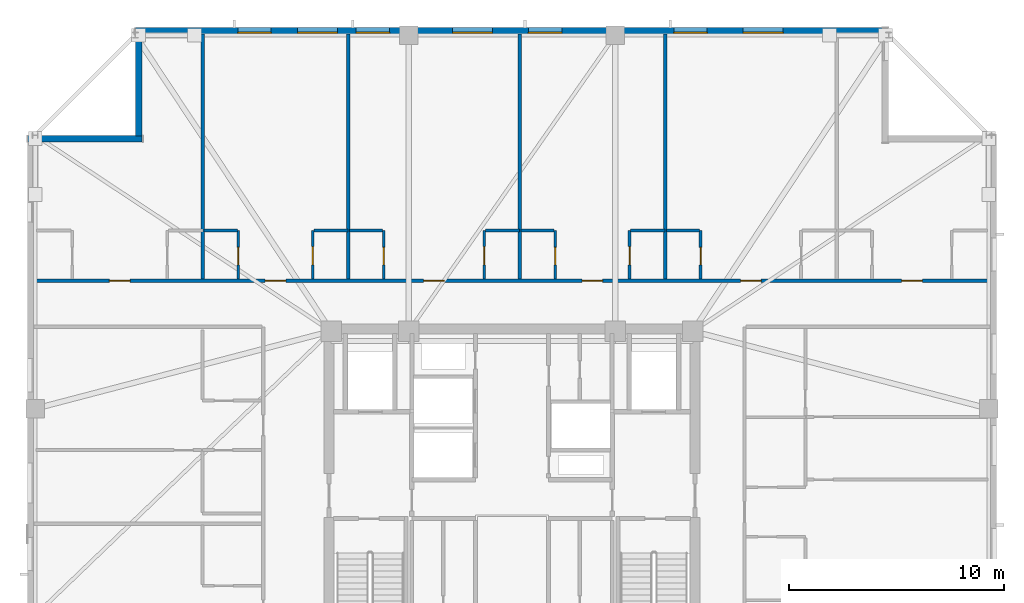
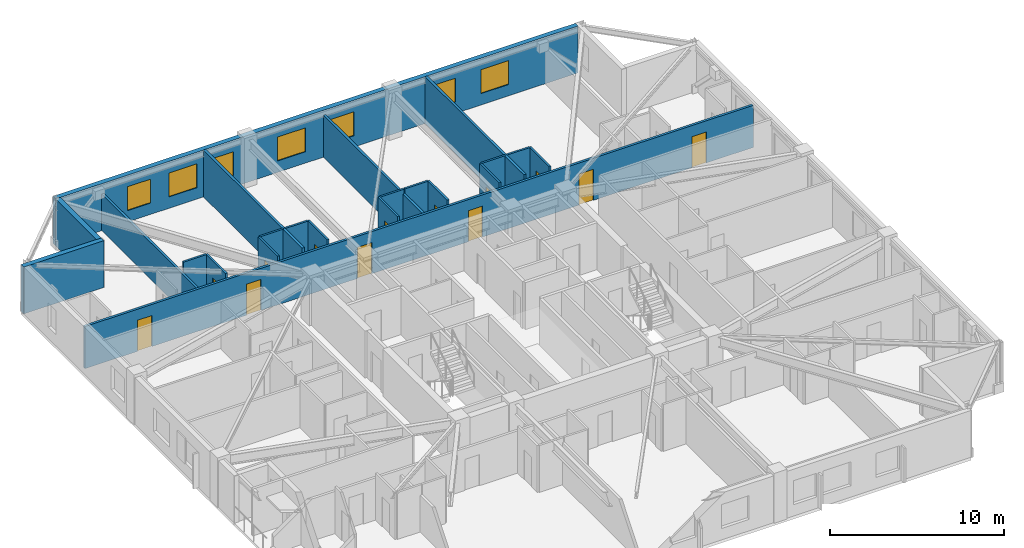
# One storey, part 11 of 17: 22 walls, 13 doors, 7 windows, 20 openings.
"""IFC4 building model written with IfcOpenShell, lengths in metres."""

from ifc_helpers import new_model, si_unit, direction, frame, frame_2d, origin, place, context, subcontext, project, spatial, rectangle, extrude, material, layer, layer_set, type_object, element, fill, save


model = new_model("IFC4")

# Units and contexts
model_context = context("Model", 3, precision=1e-05, world=origin(), true_north=direction((0.0, 1.0)))
body_context = subcontext(model_context, "Body", "Model", "MODEL_VIEW")
ifc_project = project(units=[si_unit("LENGTHUNIT", "METRE"), si_unit("AREAUNIT", "SQUARE_METRE"), si_unit("VOLUMEUNIT", "CUBIC_METRE"), si_unit("PLANEANGLEUNIT", "RADIAN"), si_unit("MASSUNIT", "GRAM", prefix="KILO")], contexts=[model_context])

# Site, building, storey
site_placement = place(None, origin())
site = spatial("IfcSite", under=ifc_project, at=site_placement, CompositionType="ELEMENT")
building_placement = place(site_placement, origin())
building = spatial("IfcBuilding", under=site, at=building_placement, Name="Cairnveth Concourse Tower", CompositionType="ELEMENT")
storey_placement = place(building_placement, frame((0.0, 0.0, 248.0)))
storey = spatial("IfcBuildingStorey", under=building, at=storey_placement, Name="L68", CompositionType="ELEMENT", Elevation=248.0)

# Wall, openings, doors
ifc_material_1 = material(Name="Gypsum Plasterboard Partition", Category="gypsum")
ifc_layer_1 = layer(ifc_material_1, 0.159912109375)
ifc_layer_set_1 = layer_set([ifc_layer_1], Name="Gypsum Plasterboard Partition")
wall_type_1 = type_object("IfcWallType", Name="ACOUSTIC PARTY WALL 180", PredefinedType="PARTITIONING", material=ifc_layer_set_1)
wall_1_placement = place(storey_placement, frame((29.804931640625, 49.74755859375, 0.0), z_axis=(0.0, 0.0, 1.0), x_axis=(1.0, 0.0, 0.0)))
wall_1 = element("IfcWall", 1, at=wall_1_placement, inside=storey, type_object=wall_type_1, Name="Interior Wall IW-L68-037", PredefinedType="PARTITIONING", context=body_context, shape_type="SweptSolid", body=[
    extrude(rectangle(XDim=44.39013671875, YDim=0.159912109375, at=frame_2d((22.195068359375, 0.0))), origin(), (0.0, 0.0, 1.0), 2.9580078125),
])
opening_1_placement = place(wall_1_placement, frame((3.49365234375, 0.0, 0.0)))
opening_1 = element("IfcOpeningElement", 2, at=opening_1_placement, cuts=wall_1, Name="Opening ID10", PredefinedType="OPENING", context=body_context, shape_type="SweptSolid", body=[
    extrude(rectangle(XDim=0.9599609375, YDim=2.179931640625, at=frame_2d((0.47998046875, 1.08984375))), frame((0.0, 0.08984375, 0.0), z_axis=(0.0, -1.0, 0.0), x_axis=(1.0, 0.0, 0.0)), (0.0, 0.0, 1.0), 0.179931640625),
])
opening_2_placement = place(wall_1_placement, frame((10.72998046875, 0.0, 0.0)))
opening_2 = element("IfcOpeningElement", 3, at=opening_2_placement, cuts=wall_1, Name="Opening ID10", PredefinedType="OPENING", context=body_context, shape_type="SweptSolid", body=[
    extrude(rectangle(XDim=0.9599609375, YDim=2.179931640625, at=frame_2d((0.47998046875, 1.08984375))), frame((0.0, 0.08984375, 0.0), z_axis=(0.0, -1.0, 0.0), x_axis=(1.0, 0.0, 0.0)), (0.0, 0.0, 1.0), 0.179931640625),
])
opening_3_placement = place(wall_1_placement, frame((18.090087890625, 0.0, 0.0)))
opening_3 = element("IfcOpeningElement", 4, at=opening_3_placement, cuts=wall_1, Name="Opening ID10", PredefinedType="OPENING", context=body_context, shape_type="SweptSolid", body=[
    extrude(rectangle(XDim=0.9599609375, YDim=2.179931640625, at=frame_2d((0.47998046875, 1.08984375))), frame((0.0, 0.08984375, 0.0), z_axis=(0.0, -1.0, 0.0), x_axis=(1.0, 0.0, 0.0)), (0.0, 0.0, 1.0), 0.179931640625),
])
opening_4_placement = place(wall_1_placement, frame((25.449951171875, 0.0, 0.0)))
opening_4 = element("IfcOpeningElement", 5, at=opening_4_placement, cuts=wall_1, Name="Opening ID10", PredefinedType="OPENING", context=body_context, shape_type="SweptSolid", body=[
    extrude(rectangle(XDim=0.9599609375, YDim=2.179931640625, at=frame_2d((0.47998046875, 1.08984375))), frame((0.0, 0.08984375, 0.0), z_axis=(0.0, -1.0, 0.0), x_axis=(1.0, 0.0, 0.0)), (0.0, 0.0, 1.0), 0.179931640625),
])
opening_5_placement = place(wall_1_placement, frame((32.81005859375, 0.0, 0.0)))
opening_5 = element("IfcOpeningElement", 6, at=opening_5_placement, cuts=wall_1, Name="Opening ID10", PredefinedType="OPENING", context=body_context, shape_type="SweptSolid", body=[
    extrude(rectangle(XDim=0.9599609375, YDim=2.179931640625, at=frame_2d((0.47998046875, 1.08984375))), frame((0.0, 0.08984375, 0.0), z_axis=(0.0, -1.0, 0.0), x_axis=(1.0, 0.0, 0.0)), (0.0, 0.0, 1.0), 0.179931640625),
])
opening_6_placement = place(wall_1_placement, frame((40.293701171875, 0.0, 0.0)))
opening_6 = element("IfcOpeningElement", 7, at=opening_6_placement, cuts=wall_1, Name="Opening ID10", PredefinedType="OPENING", context=body_context, shape_type="SweptSolid", body=[
    extrude(rectangle(XDim=0.9599609375, YDim=2.179931640625, at=frame_2d((0.47998046875, 1.08984375))), frame((0.0, 0.08984375, 0.0), z_axis=(0.0, -1.0, 0.0), x_axis=(1.0, 0.0, 0.0)), (0.0, 0.0, 1.0), 0.179931640625),
])
ifc_material_2 = material(Name="Solid Core Hardwood Timber Leaf", Category="wood")
door_type_1 = type_object("IfcDoorType", Name="FLAT ENTRANCE DOOR 960X2150", OperationType="NOTDEFINED", PredefinedType="DOOR", material=ifc_material_2)
door_1_placement = place(opening_1_placement, origin())
door_1 = element("IfcDoor", 8, at=door_1_placement, inside=storey, type_object=door_type_1, Name="Studio L68STN1 Entrance Door", OperationType="SINGLE_SWING_RIGHT", OverallHeight=2.179931640625, OverallWidth=0.9599609375, PredefinedType="DOOR", context=body_context, shape_type="SweptSolid", body=[
    extrude(rectangle(XDim=0.9599609375, YDim=2.179931640625, at=frame_2d((0.47998046875, 1.08984375))), frame((0.0, 0.02490234375, 0.0), z_axis=(0.0, -1.0, 0.0), x_axis=(1.0, 0.0, 0.0)), (0.0, 0.0, 1.0), 0.050048828125),
])
fill(opening_1, door_1)
door_2_placement = place(opening_2_placement, origin())
door_2 = element("IfcDoor", 9, at=door_2_placement, inside=storey, type_object=door_type_1, Name="Studio L68STN2 Entrance Door", OperationType="SINGLE_SWING_LEFT", OverallHeight=2.179931640625, OverallWidth=0.9599609375, PredefinedType="DOOR", context=body_context, shape_type="SweptSolid", body=[
    extrude(rectangle(XDim=0.9599609375, YDim=2.179931640625, at=frame_2d((0.47998046875, 1.08984375))), frame((0.0, 0.02490234375, 0.0), z_axis=(0.0, -1.0, 0.0), x_axis=(1.0, 0.0, 0.0)), (0.0, 0.0, 1.0), 0.050048828125),
])
fill(opening_2, door_2)
door_3_placement = place(opening_3_placement, origin())
door_3 = element("IfcDoor", 10, at=door_3_placement, inside=storey, type_object=door_type_1, Name="Studio L68STN3 Entrance Door", OperationType="SINGLE_SWING_RIGHT", OverallHeight=2.179931640625, OverallWidth=0.9599609375, PredefinedType="DOOR", context=body_context, shape_type="SweptSolid", body=[
    extrude(rectangle(XDim=0.9599609375, YDim=2.179931640625, at=frame_2d((0.47998046875, 1.08984375))), frame((0.0, 0.02490234375, 0.0), z_axis=(0.0, -1.0, 0.0), x_axis=(1.0, 0.0, 0.0)), (0.0, 0.0, 1.0), 0.050048828125),
])
fill(opening_3, door_3)
door_4_placement = place(opening_4_placement, origin())
door_4 = element("IfcDoor", 11, at=door_4_placement, inside=storey, type_object=door_type_1, Name="Studio L68STN4 Entrance Door", OperationType="SINGLE_SWING_LEFT", OverallHeight=2.179931640625, OverallWidth=0.9599609375, PredefinedType="DOOR", context=body_context, shape_type="SweptSolid", body=[
    extrude(rectangle(XDim=0.9599609375, YDim=2.179931640625, at=frame_2d((0.47998046875, 1.08984375))), frame((0.0, 0.02490234375, 0.0), z_axis=(0.0, -1.0, 0.0), x_axis=(1.0, 0.0, 0.0)), (0.0, 0.0, 1.0), 0.050048828125),
])
fill(opening_4, door_4)
door_5_placement = place(opening_5_placement, origin())
door_5 = element("IfcDoor", 12, at=door_5_placement, inside=storey, type_object=door_type_1, Name="Studio L68STN5 Entrance Door", OperationType="SINGLE_SWING_RIGHT", OverallHeight=2.179931640625, OverallWidth=0.9599609375, PredefinedType="DOOR", context=body_context, shape_type="SweptSolid", body=[
    extrude(rectangle(XDim=0.9599609375, YDim=2.179931640625, at=frame_2d((0.47998046875, 1.08984375))), frame((0.0, 0.02490234375, 0.0), z_axis=(0.0, -1.0, 0.0), x_axis=(1.0, 0.0, 0.0)), (0.0, 0.0, 1.0), 0.050048828125),
])
fill(opening_5, door_5)
door_6_placement = place(opening_6_placement, origin())
door_6 = element("IfcDoor", 13, at=door_6_placement, inside=storey, type_object=door_type_1, Name="Studio L68STN6 Entrance Door", OperationType="SINGLE_SWING_LEFT", OverallHeight=2.179931640625, OverallWidth=0.9599609375, PredefinedType="DOOR", context=body_context, shape_type="SweptSolid", body=[
    extrude(rectangle(XDim=0.9599609375, YDim=2.179931640625, at=frame_2d((0.47998046875, 1.08984375))), frame((0.0, 0.02490234375, 0.0), z_axis=(0.0, -1.0, 0.0), x_axis=(1.0, 0.0, 0.0)), (0.0, 0.0, 1.0), 0.050048828125),
])
fill(opening_6, door_6)

# Walls
wall_2_placement = place(storey_placement, frame((37.637451171875, 49.827392578125, 0.0), z_axis=(0.0, 0.0, 1.0), x_axis=(0.0, 1.0, 0.0)))
element("IfcWall", 14, at=wall_2_placement, inside=storey, type_object=wall_type_1, Name="Interior Wall IW-L68-072", PredefinedType="PARTITIONING", context=body_context, shape_type="SweptSolid", body=[
    extrude(rectangle(XDim=11.36767578125, YDim=0.159912109375, at=frame_2d((5.683837890625, 0.0))), origin(), (0.0, 0.0, 1.0), 2.572998046875),
])
wall_3_placement = place(storey_placement, frame((44.392578125, 49.827392578125, 0.0), z_axis=(0.0, 0.0, 1.0), x_axis=(0.0, 1.0, 0.0)))
element("IfcWall", 15, at=wall_3_placement, inside=storey, type_object=wall_type_1, Name="Interior Wall IW-L68-077", PredefinedType="PARTITIONING", context=body_context, shape_type="SweptSolid", body=[
    extrude(rectangle(XDim=11.36767578125, YDim=0.159912109375, at=frame_2d((5.683837890625, 0.0))), origin(), (0.0, 0.0, 1.0), 3.2900390625),
])
wall_4_placement = place(storey_placement, frame((52.357421875, 49.827392578125, 0.0), z_axis=(0.0, 0.0, 1.0), x_axis=(0.0, 1.0, 0.0)))
element("IfcWall", 16, at=wall_4_placement, inside=storey, type_object=wall_type_1, Name="Interior Wall IW-L68-082", PredefinedType="PARTITIONING", context=body_context, shape_type="SweptSolid", body=[
    extrude(rectangle(XDim=11.36767578125, YDim=0.159912109375, at=frame_2d((5.683837890625, 0.0))), origin(), (0.0, 0.0, 1.0), 2.9580078125),
])
wall_5_placement = place(storey_placement, frame((59.112548828125, 49.827392578125, 0.0), z_axis=(0.0, 0.0, 1.0), x_axis=(0.0, 1.0, 0.0)))
element("IfcWall", 17, at=wall_5_placement, inside=storey, type_object=wall_type_1, Name="Interior Wall IW-L68-087", PredefinedType="PARTITIONING", context=body_context, shape_type="SweptSolid", body=[
    extrude(rectangle(XDim=11.36767578125, YDim=0.159912109375, at=frame_2d((5.683837890625, 0.0))), origin(), (0.0, 0.0, 1.0), 3.2900390625),
])

# Wall, opening, door
ifc_layer_2 = layer(ifc_material_1, 0.1298828125)
ifc_layer_set_2 = layer_set([ifc_layer_2], Name="Gypsum Plasterboard Partition")
wall_type_2 = type_object("IfcWallType", Name="WET AREA PARTITION 140", PredefinedType="PLUMBINGWALL", material=ifc_layer_set_2)
wall_6_placement = place(storey_placement, frame((39.28759765625, 49.827392578125, 0.0), z_axis=(0.0, 0.0, 1.0), x_axis=(0.0, 1.0, 0.0)))
wall_6 = element("IfcWall", 18, at=wall_6_placement, inside=storey, type_object=wall_type_2, Name="Interior Wall IW-L68-073", PredefinedType="PLUMBINGWALL", context=body_context, shape_type="SweptSolid", body=[
    extrude(rectangle(XDim=2.25, YDim=0.1298828125, at=frame_2d((1.125, 0.0))), origin(), (0.0, 0.0, 1.0), 3.2900390625),
])
opening_7_placement = place(wall_6_placement, frame((0.64990234375, 0.0, 0.0)))
opening_7 = element("IfcOpeningElement", 19, at=opening_7_placement, cuts=wall_6, Name="Opening ID22", PredefinedType="OPENING", context=body_context, shape_type="SweptSolid", body=[
    extrude(rectangle(XDim=0.820068359375, YDim=2.10009765625, at=frame_2d((0.41015625, 1.050048828125))), frame((0.0, 0.074951171875, 0.0), z_axis=(0.0, -1.0, 0.0), x_axis=(1.0, 0.0, 0.0)), (0.0, 0.0, 1.0), 0.14990234375),
])
door_type_2 = type_object("IfcDoorType", Name="INTERIOR WC DOOR 820X2100", OperationType="NOTDEFINED", PredefinedType="DOOR", material=ifc_material_2)
door_7_placement = place(opening_7_placement, origin())
door_7 = element("IfcDoor", 20, at=door_7_placement, inside=storey, type_object=door_type_2, Name="L68STN2 Bathroom Door", OperationType="SINGLE_SWING_LEFT", OverallHeight=2.10009765625, OverallWidth=0.820068359375, PredefinedType="DOOR", context=body_context, shape_type="SweptSolid", body=[
    extrude(rectangle(XDim=0.820068359375, YDim=2.10009765625, at=frame_2d((0.41015625, 1.050048828125))), frame((0.0, 0.02490234375, 0.0), z_axis=(0.0, -1.0, 0.0), x_axis=(1.0, 0.0, 0.0)), (0.0, 0.0, 1.0), 0.050048828125),
])
fill(opening_7, door_7)

# Wall
wall_7_placement = place(storey_placement, frame((37.702392578125, 52.077392578125, 0.0), z_axis=(0.0, 0.0, 1.0), x_axis=(1.0, 0.0, 0.0)))
element("IfcWall", 21, at=wall_7_placement, inside=storey, type_object=wall_type_2, Name="Interior Wall IW-L68-074", PredefinedType="PLUMBINGWALL", context=body_context, shape_type="SweptSolid", body=[
    extrude(rectangle(XDim=1.53515625, YDim=0.1298828125, at=frame_2d((0.767578125, 0.0))), origin(), (0.0, 0.0, 1.0), 3.2900390625),
])

# Wall, opening, door
wall_8_placement = place(storey_placement, frame((42.742431640625, 49.827392578125, 0.0), z_axis=(0.0, 0.0, 1.0), x_axis=(0.0, 1.0, 0.0)))
wall_8 = element("IfcWall", 22, at=wall_8_placement, inside=storey, type_object=wall_type_2, Name="Interior Wall IW-L68-075", PredefinedType="PLUMBINGWALL", context=body_context, shape_type="SweptSolid", body=[
    extrude(rectangle(XDim=2.25, YDim=0.1298828125, at=frame_2d((1.125, 0.0))), origin(), (0.0, 0.0, 1.0), 3.2900390625),
])
opening_8_placement = place(wall_8_placement, frame((0.64990234375, 0.0, 0.0)))
opening_8 = element("IfcOpeningElement", 23, at=opening_8_placement, cuts=wall_8, Name="Opening ID20", PredefinedType="OPENING", context=body_context, shape_type="SweptSolid", body=[
    extrude(rectangle(XDim=0.85009765625, YDim=2.10009765625, at=frame_2d((0.425048828125, 1.050048828125))), frame((0.0, 0.074951171875, 0.0), z_axis=(0.0, -1.0, 0.0), x_axis=(1.0, 0.0, 0.0)), (0.0, 0.0, 1.0), 0.14990234375),
])
door_type_3 = type_object("IfcDoorType", Name="INTERIOR SINGLE DOOR 850X2100", OperationType="NOTDEFINED", PredefinedType="DOOR", material=ifc_material_2)
door_8_placement = place(opening_8_placement, origin())
door_8 = element("IfcDoor", 24, at=door_8_placement, inside=storey, type_object=door_type_3, Name="L68STN2 Kitchen Door", OperationType="SINGLE_SWING_RIGHT", OverallHeight=2.10009765625, OverallWidth=0.85009765625, PredefinedType="DOOR", context=body_context, shape_type="SweptSolid", body=[
    extrude(rectangle(XDim=0.85009765625, YDim=2.10009765625, at=frame_2d((0.425048828125, 1.050048828125))), frame((0.0, 0.02490234375, 0.0), z_axis=(0.0, -1.0, 0.0), x_axis=(1.0, 0.0, 0.0)), (0.0, 0.0, 1.0), 0.050048828125),
])
fill(opening_8, door_8)

# Wall
wall_9_placement = place(storey_placement, frame((42.79248046875, 52.077392578125, 0.0), z_axis=(0.0, 0.0, 1.0), x_axis=(1.0, 0.0, 0.0)))
element("IfcWall", 25, at=wall_9_placement, inside=storey, type_object=wall_type_2, Name="Interior Wall IW-L68-076", PredefinedType="PLUMBINGWALL", context=body_context, shape_type="SweptSolid", body=[
    extrude(rectangle(XDim=1.60009765625, YDim=0.1298828125, at=frame_2d((0.800048828125, 0.0))), origin(), (0.0, 0.0, 1.0), 3.2900390625),
])

# Wall, opening, door
wall_10_placement = place(storey_placement, frame((46.04248046875, 49.827392578125, 0.0), z_axis=(0.0, 0.0, 1.0), x_axis=(0.0, 1.0, 0.0)))
wall_10 = element("IfcWall", 26, at=wall_10_placement, inside=storey, type_object=wall_type_2, Name="Interior Wall IW-L68-078", PredefinedType="PLUMBINGWALL", context=body_context, shape_type="SweptSolid", body=[
    extrude(rectangle(XDim=2.25, YDim=0.1298828125, at=frame_2d((1.125, 0.0))), origin(), (0.0, 0.0, 1.0), 3.2900390625),
])
opening_9_placement = place(wall_10_placement, frame((0.64990234375, 0.0, 0.0)))
opening_9 = element("IfcOpeningElement", 27, at=opening_9_placement, cuts=wall_10, Name="Opening ID22", PredefinedType="OPENING", context=body_context, shape_type="SweptSolid", body=[
    extrude(rectangle(XDim=0.820068359375, YDim=2.10009765625, at=frame_2d((0.41015625, 1.050048828125))), frame((0.0, 0.074951171875, 0.0), z_axis=(0.0, -1.0, 0.0), x_axis=(1.0, 0.0, 0.0)), (0.0, 0.0, 1.0), 0.14990234375),
])
door_9_placement = place(opening_9_placement, origin())
door_9 = element("IfcDoor", 28, at=door_9_placement, inside=storey, type_object=door_type_2, Name="L68STN3 Bathroom Door", OperationType="SINGLE_SWING_RIGHT", OverallHeight=2.10009765625, OverallWidth=0.820068359375, PredefinedType="DOOR", context=body_context, shape_type="SweptSolid", body=[
    extrude(rectangle(XDim=0.820068359375, YDim=2.10009765625, at=frame_2d((0.41015625, 1.050048828125))), frame((0.0, 0.02490234375, 0.0), z_axis=(0.0, -1.0, 0.0), x_axis=(1.0, 0.0, 0.0)), (0.0, 0.0, 1.0), 0.050048828125),
])
fill(opening_9, door_9)

# Wall
wall_11_placement = place(storey_placement, frame((44.45751953125, 52.077392578125, 0.0), z_axis=(0.0, 0.0, 1.0), x_axis=(1.0, 0.0, 0.0)))
element("IfcWall", 29, at=wall_11_placement, inside=storey, type_object=wall_type_2, Name="Interior Wall IW-L68-079", PredefinedType="PLUMBINGWALL", context=body_context, shape_type="SweptSolid", body=[
    extrude(rectangle(XDim=1.534912109375, YDim=0.1298828125, at=frame_2d((0.767578125, 0.0))), origin(), (0.0, 0.0, 1.0), 3.2900390625),
])

# Wall, opening, door
wall_12_placement = place(storey_placement, frame((50.70751953125, 49.827392578125, 0.0), z_axis=(0.0, 0.0, 1.0), x_axis=(0.0, 1.0, 0.0)))
wall_12 = element("IfcWall", 30, at=wall_12_placement, inside=storey, type_object=wall_type_2, Name="Interior Wall IW-L68-080", PredefinedType="PLUMBINGWALL", context=body_context, shape_type="SweptSolid", body=[
    extrude(rectangle(XDim=2.25, YDim=0.1298828125, at=frame_2d((1.125, 0.0))), origin(), (0.0, 0.0, 1.0), 3.2900390625),
])
opening_10_placement = place(wall_12_placement, frame((0.64990234375, 0.0, 0.0)))
opening_10 = element("IfcOpeningElement", 31, at=opening_10_placement, cuts=wall_12, Name="Opening ID20", PredefinedType="OPENING", context=body_context, shape_type="SweptSolid", body=[
    extrude(rectangle(XDim=0.85009765625, YDim=2.10009765625, at=frame_2d((0.425048828125, 1.050048828125))), frame((0.0, 0.074951171875, 0.0), z_axis=(0.0, -1.0, 0.0), x_axis=(1.0, 0.0, 0.0)), (0.0, 0.0, 1.0), 0.14990234375),
])
door_10_placement = place(opening_10_placement, origin())
door_10 = element("IfcDoor", 32, at=door_10_placement, inside=storey, type_object=door_type_3, Name="L68STN3 Kitchen Door", OperationType="SINGLE_SWING_LEFT", OverallHeight=2.10009765625, OverallWidth=0.85009765625, PredefinedType="DOOR", context=body_context, shape_type="SweptSolid", body=[
    extrude(rectangle(XDim=0.85009765625, YDim=2.10009765625, at=frame_2d((0.425048828125, 1.050048828125))), frame((0.0, 0.02490234375, 0.0), z_axis=(0.0, -1.0, 0.0), x_axis=(1.0, 0.0, 0.0)), (0.0, 0.0, 1.0), 0.050048828125),
])
fill(opening_10, door_10)

# Wall
wall_13_placement = place(storey_placement, frame((50.757568359375, 52.077392578125, 0.0), z_axis=(0.0, 0.0, 1.0), x_axis=(1.0, 0.0, 0.0)))
element("IfcWall", 33, at=wall_13_placement, inside=storey, type_object=wall_type_2, Name="Interior Wall IW-L68-081", PredefinedType="PLUMBINGWALL", context=body_context, shape_type="SweptSolid", body=[
    extrude(rectangle(XDim=1.599853515625, YDim=0.1298828125, at=frame_2d((0.7998046875, 0.0))), origin(), (0.0, 0.0, 1.0), 3.2900390625),
])

# Wall, opening, door
wall_14_placement = place(storey_placement, frame((54.007568359375, 49.827392578125, 0.0), z_axis=(0.0, 0.0, 1.0), x_axis=(0.0, 1.0, 0.0)))
wall_14 = element("IfcWall", 34, at=wall_14_placement, inside=storey, type_object=wall_type_2, Name="Interior Wall IW-L68-083", PredefinedType="PLUMBINGWALL", context=body_context, shape_type="SweptSolid", body=[
    extrude(rectangle(XDim=2.25, YDim=0.1298828125, at=frame_2d((1.125, 0.0))), origin(), (0.0, 0.0, 1.0), 3.2900390625),
])
opening_11_placement = place(wall_14_placement, frame((0.64990234375, 0.0, 0.0)))
opening_11 = element("IfcOpeningElement", 35, at=opening_11_placement, cuts=wall_14, Name="Opening ID22", PredefinedType="OPENING", context=body_context, shape_type="SweptSolid", body=[
    extrude(rectangle(XDim=0.820068359375, YDim=2.10009765625, at=frame_2d((0.41015625, 1.050048828125))), frame((0.0, 0.074951171875, 0.0), z_axis=(0.0, -1.0, 0.0), x_axis=(1.0, 0.0, 0.0)), (0.0, 0.0, 1.0), 0.14990234375),
])
door_11_placement = place(opening_11_placement, origin())
door_11 = element("IfcDoor", 36, at=door_11_placement, inside=storey, type_object=door_type_2, Name="L68STN4 Bathroom Door", OperationType="SINGLE_SWING_LEFT", OverallHeight=2.10009765625, OverallWidth=0.820068359375, PredefinedType="DOOR", context=body_context, shape_type="SweptSolid", body=[
    extrude(rectangle(XDim=0.820068359375, YDim=2.10009765625, at=frame_2d((0.41015625, 1.050048828125))), frame((0.0, 0.02490234375, 0.0), z_axis=(0.0, -1.0, 0.0), x_axis=(1.0, 0.0, 0.0)), (0.0, 0.0, 1.0), 0.050048828125),
])
fill(opening_11, door_11)

# Wall
wall_15_placement = place(storey_placement, frame((52.422607421875, 52.077392578125, 0.0), z_axis=(0.0, 0.0, 1.0), x_axis=(1.0, 0.0, 0.0)))
element("IfcWall", 37, at=wall_15_placement, inside=storey, type_object=wall_type_2, Name="Interior Wall IW-L68-084", PredefinedType="PLUMBINGWALL", context=body_context, shape_type="SweptSolid", body=[
    extrude(rectangle(XDim=1.534912109375, YDim=0.1298828125, at=frame_2d((0.767578125, 0.0))), origin(), (0.0, 0.0, 1.0), 3.2900390625),
])

# Wall, opening, door
wall_16_placement = place(storey_placement, frame((57.46240234375, 49.827392578125, 0.0), z_axis=(0.0, 0.0, 1.0), x_axis=(0.0, 1.0, 0.0)))
wall_16 = element("IfcWall", 38, at=wall_16_placement, inside=storey, type_object=wall_type_2, Name="Interior Wall IW-L68-085", PredefinedType="PLUMBINGWALL", context=body_context, shape_type="SweptSolid", body=[
    extrude(rectangle(XDim=2.25, YDim=0.1298828125, at=frame_2d((1.125, 0.0))), origin(), (0.0, 0.0, 1.0), 3.2900390625),
])
opening_12_placement = place(wall_16_placement, frame((0.64990234375, 0.0, 0.0)))
opening_12 = element("IfcOpeningElement", 39, at=opening_12_placement, cuts=wall_16, Name="Opening ID20", PredefinedType="OPENING", context=body_context, shape_type="SweptSolid", body=[
    extrude(rectangle(XDim=0.85009765625, YDim=2.10009765625, at=frame_2d((0.425048828125, 1.050048828125))), frame((0.0, 0.074951171875, 0.0), z_axis=(0.0, -1.0, 0.0), x_axis=(1.0, 0.0, 0.0)), (0.0, 0.0, 1.0), 0.14990234375),
])
door_12_placement = place(opening_12_placement, origin())
door_12 = element("IfcDoor", 40, at=door_12_placement, inside=storey, type_object=door_type_3, Name="L68STN4 Kitchen Door", OperationType="SINGLE_SWING_RIGHT", OverallHeight=2.10009765625, OverallWidth=0.85009765625, PredefinedType="DOOR", context=body_context, shape_type="SweptSolid", body=[
    extrude(rectangle(XDim=0.85009765625, YDim=2.10009765625, at=frame_2d((0.425048828125, 1.050048828125))), frame((0.0, 0.02490234375, 0.0), z_axis=(0.0, -1.0, 0.0), x_axis=(1.0, 0.0, 0.0)), (0.0, 0.0, 1.0), 0.050048828125),
])
fill(opening_12, door_12)

# Wall
wall_17_placement = place(storey_placement, frame((57.512451171875, 52.077392578125, 0.0), z_axis=(0.0, 0.0, 1.0), x_axis=(1.0, 0.0, 0.0)))
element("IfcWall", 41, at=wall_17_placement, inside=storey, type_object=wall_type_2, Name="Interior Wall IW-L68-086", PredefinedType="PLUMBINGWALL", context=body_context, shape_type="SweptSolid", body=[
    extrude(rectangle(XDim=1.60009765625, YDim=0.1298828125, at=frame_2d((0.800048828125, 0.0))), origin(), (0.0, 0.0, 1.0), 3.2900390625),
])

# Wall, opening, door
wall_18_placement = place(storey_placement, frame((60.762451171875, 49.827392578125, 0.0), z_axis=(0.0, 0.0, 1.0), x_axis=(0.0, 1.0, 0.0)))
wall_18 = element("IfcWall", 42, at=wall_18_placement, inside=storey, type_object=wall_type_2, Name="Interior Wall IW-L68-088", PredefinedType="PLUMBINGWALL", context=body_context, shape_type="SweptSolid", body=[
    extrude(rectangle(XDim=2.25, YDim=0.1298828125, at=frame_2d((1.125, 0.0))), origin(), (0.0, 0.0, 1.0), 3.2900390625),
])
opening_13_placement = place(wall_18_placement, frame((0.64990234375, 0.0, 0.0)))
opening_13 = element("IfcOpeningElement", 43, at=opening_13_placement, cuts=wall_18, Name="Opening ID22", PredefinedType="OPENING", context=body_context, shape_type="SweptSolid", body=[
    extrude(rectangle(XDim=0.820068359375, YDim=2.10009765625, at=frame_2d((0.41015625, 1.050048828125))), frame((0.0, 0.074951171875, 0.0), z_axis=(0.0, -1.0, 0.0), x_axis=(1.0, 0.0, 0.0)), (0.0, 0.0, 1.0), 0.14990234375),
])
door_13_placement = place(opening_13_placement, origin())
door_13 = element("IfcDoor", 44, at=door_13_placement, inside=storey, type_object=door_type_2, Name="L68STN5 Bathroom Door", OperationType="SINGLE_SWING_RIGHT", OverallHeight=2.10009765625, OverallWidth=0.820068359375, PredefinedType="DOOR", context=body_context, shape_type="SweptSolid", body=[
    extrude(rectangle(XDim=0.820068359375, YDim=2.10009765625, at=frame_2d((0.41015625, 1.050048828125))), frame((0.0, 0.02490234375, 0.0), z_axis=(0.0, -1.0, 0.0), x_axis=(1.0, 0.0, 0.0)), (0.0, 0.0, 1.0), 0.050048828125),
])
fill(opening_13, door_13)

# Walls
wall_19_placement = place(storey_placement, frame((59.177490234375, 52.077392578125, 0.0), z_axis=(0.0, 0.0, 1.0), x_axis=(1.0, 0.0, 0.0)))
element("IfcWall", 45, at=wall_19_placement, inside=storey, type_object=wall_type_2, Name="Interior Wall IW-L68-089", PredefinedType="PLUMBINGWALL", context=body_context, shape_type="SweptSolid", body=[
    extrude(rectangle(XDim=1.534912109375, YDim=0.1298828125, at=frame_2d((0.767578125, 0.0))), origin(), (0.0, 0.0, 1.0), 3.2900390625),
])
ifc_material_3 = material(Name="Melbourne Buff Fired Clay Brick Masonry", Category="masonry")
ifc_layer_3 = layer(ifc_material_3, 0.320068359375)
ifc_layer_set_3 = layer_set([ifc_layer_3], Name="Melbourne Buff Fired Clay Brick Masonry")
wall_type_3 = type_object("IfcWallType", Name="ZONE 3 BRICK PIER SPANDREL WALL 320", PredefinedType="SOLIDWALL", material=ifc_layer_set_3)
wall_20_placement = place(storey_placement, frame((29.5, 56.340087890625, 0.0), z_axis=(0.0, 0.0, 1.0), x_axis=(1.0, 0.0, 0.0)))
element("IfcWall", 46, at=wall_20_placement, inside=storey, type_object=wall_type_3, Name="Exterior Wall EW-L68-S01", PredefinedType="SOLIDWALL", context=body_context, shape_type="SweptSolid", body=[
    extrude(rectangle(XDim=5.320068359375, YDim=0.320068359375, at=frame_2d((2.66015625, 0.0))), origin(), (0.0, 0.0, 1.0), 3.2900390625),
])
wall_21_placement = place(storey_placement, frame((34.659912109375, 56.47802734375, 0.0), z_axis=(0.0, 0.0, 1.0), x_axis=(0.0, 1.0, 0.0)))
element("IfcWall", 47, at=wall_21_placement, inside=storey, type_object=wall_type_3, Name="Exterior Wall EW-L68-S02", PredefinedType="SOLIDWALL", context=body_context, shape_type="SweptSolid", body=[
    extrude(rectangle(XDim=4.723876953125, YDim=0.320068359375, at=frame_2d((2.36181640625, 0.0))), origin(), (0.0, 0.0, 1.0), 3.2900390625),
])

# Wall, openings, windows
wall_22_placement = place(storey_placement, frame((34.5, 61.340087890625, 0.0), z_axis=(0.0, 0.0, 1.0), x_axis=(1.0, 0.0, 0.0)))
wall_22 = element("IfcWall", 48, at=wall_22_placement, inside=storey, type_object=wall_type_3, Name="Exterior Wall EW-L68-S03", PredefinedType="SOLIDWALL", context=body_context, shape_type="SweptSolid", body=[
    extrude(rectangle(XDim=34.701904296875, YDim=0.320068359375, at=frame_2d((17.35107421875, 0.0))), origin(), (0.0, 0.0, 1.0), 3.2900390625),
])
opening_14_placement = place(wall_22_placement, frame((4.7626953125, 0.0, 0.800048828125)))
opening_14 = element("IfcOpeningElement", 49, at=opening_14_placement, cuts=wall_22, Name="Opening W07", PredefinedType="OPENING", context=body_context, shape_type="SweptSolid", body=[
    extrude(rectangle(XDim=1.550048828125, YDim=1.677978515625, at=frame_2d((0.77490234375, 0.8388671875))), frame((0.0, 0.169921875, 0.0), z_axis=(0.0, -1.0, 0.0), x_axis=(1.0, 0.0, 0.0)), (0.0, 0.0, 1.0), 0.340087890625),
])
opening_15_placement = place(wall_22_placement, frame((7.537841796875, 0.0, 0.800048828125)))
opening_15 = element("IfcOpeningElement", 50, at=opening_15_placement, cuts=wall_22, Name="Opening W08", PredefinedType="OPENING", context=body_context, shape_type="SweptSolid", body=[
    extrude(rectangle(XDim=1.85009765625, YDim=1.677978515625, at=frame_2d((0.925048828125, 0.8388671875))), frame((0.0, 0.169921875, 0.0), z_axis=(0.0, -1.0, 0.0), x_axis=(1.0, 0.0, 0.0)), (0.0, 0.0, 1.0), 0.340087890625),
])
opening_16_placement = place(wall_22_placement, frame((10.26318359375, 0.0, 0.800048828125)))
opening_16 = element("IfcOpeningElement", 51, at=opening_16_placement, cuts=wall_22, Name="Opening W07", PredefinedType="OPENING", context=body_context, shape_type="SweptSolid", body=[
    extrude(rectangle(XDim=1.550048828125, YDim=1.677978515625, at=frame_2d((0.77490234375, 0.8388671875))), frame((0.0, 0.169921875, 0.0), z_axis=(0.0, -1.0, 0.0), x_axis=(1.0, 0.0, 0.0)), (0.0, 0.0, 1.0), 0.340087890625),
])
opening_17_placement = place(wall_22_placement, frame((14.73828125, 0.0, 0.800048828125)))
opening_17 = element("IfcOpeningElement", 52, at=opening_17_placement, cuts=wall_22, Name="Opening W08", PredefinedType="OPENING", context=body_context, shape_type="SweptSolid", body=[
    extrude(rectangle(XDim=1.85009765625, YDim=1.677978515625, at=frame_2d((0.925048828125, 0.8388671875))), frame((0.0, 0.169921875, 0.0), z_axis=(0.0, -1.0, 0.0), x_axis=(1.0, 0.0, 0.0)), (0.0, 0.0, 1.0), 0.340087890625),
])
opening_18_placement = place(wall_22_placement, frame((18.263671875, 0.0, 0.800048828125)))
opening_18 = element("IfcOpeningElement", 53, at=opening_18_placement, cuts=wall_22, Name="Opening W07", PredefinedType="OPENING", context=body_context, shape_type="SweptSolid", body=[
    extrude(rectangle(XDim=1.550048828125, YDim=1.677978515625, at=frame_2d((0.77490234375, 0.8388671875))), frame((0.0, 0.169921875, 0.0), z_axis=(0.0, -1.0, 0.0), x_axis=(1.0, 0.0, 0.0)), (0.0, 0.0, 1.0), 0.340087890625),
])
opening_19_placement = place(wall_22_placement, frame((25.01416015625, 0.0, 0.800048828125)))
opening_19 = element("IfcOpeningElement", 54, at=opening_19_placement, cuts=wall_22, Name="Opening W07", PredefinedType="OPENING", context=body_context, shape_type="SweptSolid", body=[
    extrude(rectangle(XDim=1.550048828125, YDim=1.677978515625, at=frame_2d((0.77490234375, 0.8388671875))), frame((0.0, 0.169921875, 0.0), z_axis=(0.0, -1.0, 0.0), x_axis=(1.0, 0.0, 0.0)), (0.0, 0.0, 1.0), 0.340087890625),
])
opening_20_placement = place(wall_22_placement, frame((28.239501953125, 0.0, 0.800048828125)))
opening_20 = element("IfcOpeningElement", 55, at=opening_20_placement, cuts=wall_22, Name="Opening W08", PredefinedType="OPENING", context=body_context, shape_type="SweptSolid", body=[
    extrude(rectangle(XDim=1.85009765625, YDim=1.677978515625, at=frame_2d((0.925048828125, 0.8388671875))), frame((0.0, 0.169921875, 0.0), z_axis=(0.0, -1.0, 0.0), x_axis=(1.0, 0.0, 0.0)), (0.0, 0.0, 1.0), 0.340087890625),
])
ifc_material_4 = material(Name="Double Glazed Low-E Clear Glass", Category="glass")
window_type_1 = type_object("IfcWindowType", Name="DEEP-SET APARTMENT LIVING WINDOW 1850X1850", PartitioningType="DOUBLE_PANEL_VERTICAL", PredefinedType="WINDOW", material=ifc_material_4)
window_1_placement = place(opening_15_placement, origin())
window_1 = element("IfcWindow", 56, at=window_1_placement, inside=storey, type_object=window_type_1, Name="Gothic Lancet Window L68-3-2", OverallHeight=1.677978515625, OverallWidth=1.85009765625, PartitioningType="SINGLE_PANEL", PredefinedType="WINDOW", context=body_context, shape_type="SweptSolid", body=[
    extrude(rectangle(XDim=1.85009765625, YDim=1.677978515625, at=frame_2d((0.925048828125, 0.8388671875))), frame((0.0, -0.050048828125, 0.0), z_axis=(0.0, -1.0, 0.0), x_axis=(1.0, 0.0, 0.0)), (0.0, 0.0, 1.0), 0.06005859375),
])
fill(opening_15, window_1)
window_2_placement = place(opening_17_placement, origin())
window_2 = element("IfcWindow", 57, at=window_2_placement, inside=storey, type_object=window_type_1, Name="Gothic Lancet Window L68-3-4", OverallHeight=1.677978515625, OverallWidth=1.85009765625, PartitioningType="SINGLE_PANEL", PredefinedType="WINDOW", context=body_context, shape_type="SweptSolid", body=[
    extrude(rectangle(XDim=1.85009765625, YDim=1.677978515625, at=frame_2d((0.925048828125, 0.8388671875))), frame((0.0, -0.050048828125, 0.0), z_axis=(0.0, -1.0, 0.0), x_axis=(1.0, 0.0, 0.0)), (0.0, 0.0, 1.0), 0.06005859375),
])
fill(opening_17, window_2)
window_3_placement = place(opening_20_placement, origin())
window_3 = element("IfcWindow", 58, at=window_3_placement, inside=storey, type_object=window_type_1, Name="Gothic Lancet Window L68-3-8", OverallHeight=1.677978515625, OverallWidth=1.85009765625, PartitioningType="SINGLE_PANEL", PredefinedType="WINDOW", context=body_context, shape_type="SweptSolid", body=[
    extrude(rectangle(XDim=1.85009765625, YDim=1.677978515625, at=frame_2d((0.925048828125, 0.8388671875))), frame((0.0, -0.050048828125, 0.0), z_axis=(0.0, -1.0, 0.0), x_axis=(1.0, 0.0, 0.0)), (0.0, 0.0, 1.0), 0.06005859375),
])
fill(opening_20, window_3)
window_type_2 = type_object("IfcWindowType", Name="DEEP-SET APARTMENT WINDOW 1550X1800", PartitioningType="DOUBLE_PANEL_VERTICAL", PredefinedType="WINDOW", material=ifc_material_4)
window_4_placement = place(opening_14_placement, origin())
window_4 = element("IfcWindow", 59, at=window_4_placement, inside=storey, type_object=window_type_2, Name="Gothic Lancet Window L68-3-1", OverallHeight=1.677978515625, OverallWidth=1.550048828125, PartitioningType="SINGLE_PANEL", PredefinedType="WINDOW", context=body_context, shape_type="SweptSolid", body=[
    extrude(rectangle(XDim=1.550048828125, YDim=1.677978515625, at=frame_2d((0.77490234375, 0.8388671875))), frame((0.0, -0.050048828125, 0.0), z_axis=(0.0, -1.0, 0.0), x_axis=(1.0, 0.0, 0.0)), (0.0, 0.0, 1.0), 0.06005859375),
])
fill(opening_14, window_4)
window_5_placement = place(opening_16_placement, origin())
window_5 = element("IfcWindow", 60, at=window_5_placement, inside=storey, type_object=window_type_2, Name="Gothic Lancet Window L68-3-3", OverallHeight=1.677978515625, OverallWidth=1.550048828125, PartitioningType="SINGLE_PANEL", PredefinedType="WINDOW", context=body_context, shape_type="SweptSolid", body=[
    extrude(rectangle(XDim=1.550048828125, YDim=1.677978515625, at=frame_2d((0.77490234375, 0.8388671875))), frame((0.0, -0.050048828125, 0.0), z_axis=(0.0, -1.0, 0.0), x_axis=(1.0, 0.0, 0.0)), (0.0, 0.0, 1.0), 0.06005859375),
])
fill(opening_16, window_5)
window_6_placement = place(opening_18_placement, origin())
window_6 = element("IfcWindow", 61, at=window_6_placement, inside=storey, type_object=window_type_2, Name="Gothic Lancet Window L68-3-5", OverallHeight=1.677978515625, OverallWidth=1.550048828125, PartitioningType="SINGLE_PANEL", PredefinedType="WINDOW", context=body_context, shape_type="SweptSolid", body=[
    extrude(rectangle(XDim=1.550048828125, YDim=1.677978515625, at=frame_2d((0.77490234375, 0.8388671875))), frame((0.0, -0.050048828125, 0.0), z_axis=(0.0, -1.0, 0.0), x_axis=(1.0, 0.0, 0.0)), (0.0, 0.0, 1.0), 0.06005859375),
])
fill(opening_18, window_6)
window_7_placement = place(opening_19_placement, origin())
window_7 = element("IfcWindow", 62, at=window_7_placement, inside=storey, type_object=window_type_2, Name="Gothic Lancet Window L68-3-7", OverallHeight=1.677978515625, OverallWidth=1.550048828125, PartitioningType="SINGLE_PANEL", PredefinedType="WINDOW", context=body_context, shape_type="SweptSolid", body=[
    extrude(rectangle(XDim=1.550048828125, YDim=1.677978515625, at=frame_2d((0.77490234375, 0.8388671875))), frame((0.0, -0.050048828125, 0.0), z_axis=(0.0, -1.0, 0.0), x_axis=(1.0, 0.0, 0.0)), (0.0, 0.0, 1.0), 0.06005859375),
])
fill(opening_19, window_7)

save(model, "model.ifc")
